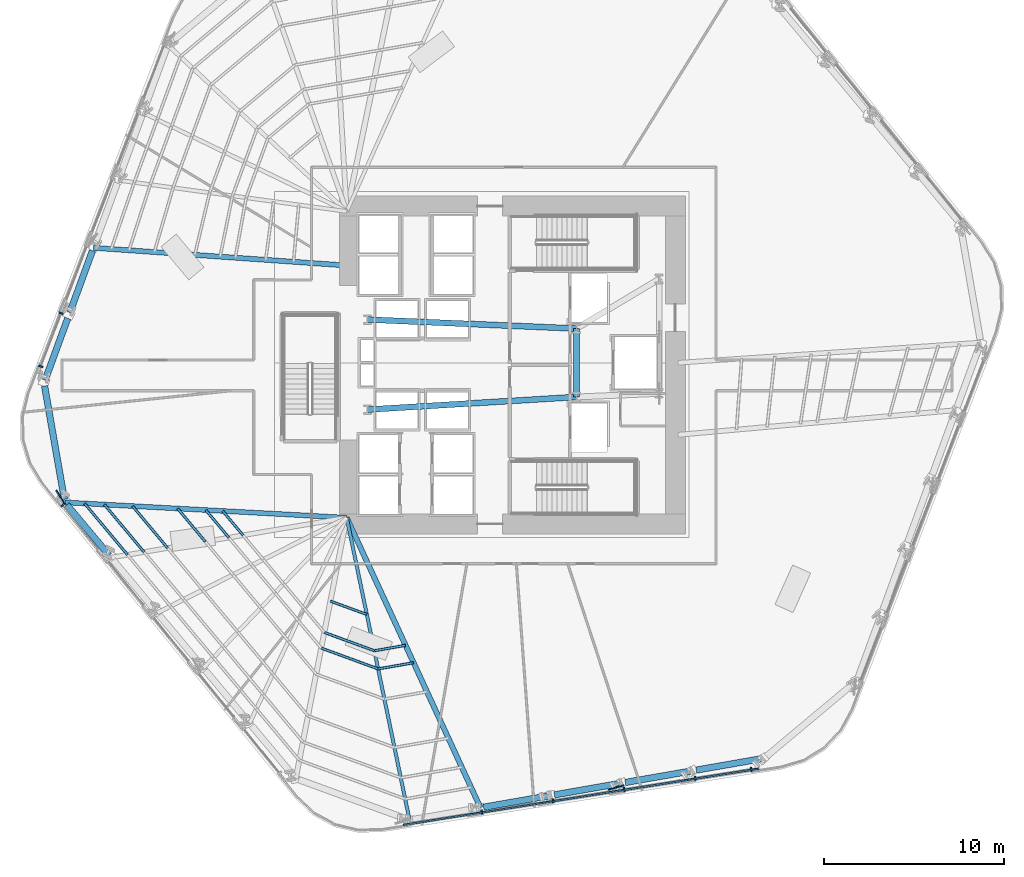
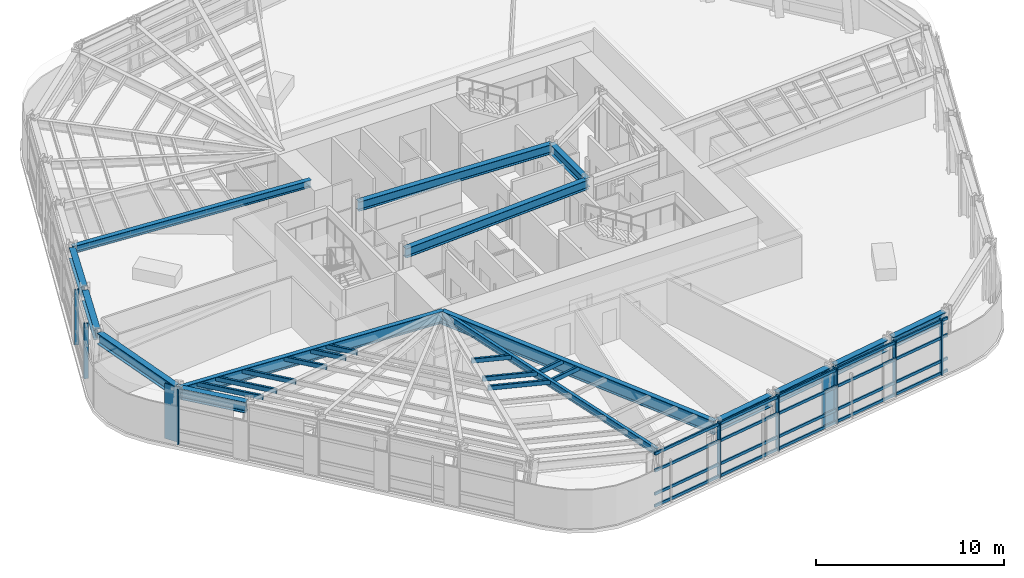
# One storey, part 3 of 16: 25 members, 15 beams, 3 elements without a shape of their own.
"""IFC4 building model written with IfcOpenShell, lengths in metres."""

import ifcopenshell
import ifcopenshell.guid

model = None  # the IFC model being written
_history = None  # IfcOwnerHistory: only IFC2X3 demands one
_inside = {}  # id of a spatial element -> (the spatial element, [elements in it])
_under = {}  # id of a project, library or spatial element -> (it, [spatial elements below it])
_declared = {}  # id of a project -> (the project, [libraries it declares])
_typed = {}  # id of a type object -> (the type object, [elements of that type])
_made_of = {}  # id of a material, layer set ... -> (it, [elements and type objects made of it])


def new_model(schema):
    """Start an empty IFC model of exactly this schema.

    Asked for "IFC4X3", IfcOpenShell would pick the latest addendum, in which some entities
    have other attributes; the version numbers below select the first issue.
    IFC2X3 requires an IfcOwnerHistory on every rooted entity: one is made here for all.
    """
    global model, _history
    if schema == "IFC4X3":
        model = ifcopenshell.file(schema_version=(4, 3, 0, 0))
    else:
        model = ifcopenshell.file(schema=schema)
    _inside.clear()
    _under.clear()
    _declared.clear()
    _typed.clear()
    _made_of.clear()
    _history = None
    if model.schema == "IFC2X3":
        org = make("IfcOrganization", Name="unknown")
        user = make(
            "IfcPersonAndOrganization",
            ThePerson=make("IfcPerson", FamilyName="unknown"),
            TheOrganization=org,
        )
        app = make(
            "IfcApplication",
            ApplicationDeveloper=org,
            Version="unknown",
            ApplicationFullName="unknown",
            ApplicationIdentifier="unknown",
        )
        _history = make(
            "IfcOwnerHistory",
            OwningUser=user,
            OwningApplication=app,
            ChangeAction="ADDED",
            CreationDate=0,
        )
    return model


def make(cls, **values):
    """One entity of the class cls with the attributes given. An attribute that is None is left unset."""
    return model.create_entity(
        cls, **{name: value for name, value in values.items() if value is not None}
    )


def rooted(cls, **values):
    """An entity with a GlobalId (a new one), such as an element, a storey or a relation."""
    return make(cls, GlobalId=ifcopenshell.guid.new(), OwnerHistory=_history, **values)


def si_unit(unit_type, name, prefix=None):
    """IfcSIUnit, for example si_unit("LENGTHUNIT", "METRE", prefix="MILLI")."""
    return make("IfcSIUnit", UnitType=unit_type, Prefix=prefix, Name=name)


def assignment(units):
    """IfcUnitAssignment: the units of a project."""
    return None if units is None else make("IfcUnitAssignment", Units=units)


def point(xyz):
    """IfcCartesianPoint."""
    return None if xyz is None else make("IfcCartesianPoint", Coordinates=xyz)


def direction(xyz):
    """IfcDirection."""
    return None if xyz is None else make("IfcDirection", DirectionRatios=xyz)


def frame(location, z_axis=None, x_axis=None):
    """IfcAxis2Placement3D, a coordinate frame: its origin and axes. An axis left out is left unset."""
    return make(
        "IfcAxis2Placement3D",
        Location=point(location),
        Axis=direction(z_axis),
        RefDirection=direction(x_axis),
    )


def frame_2d(location, x_axis=None):
    """IfcAxis2Placement2D, a coordinate frame in the plane: its origin and x axis."""
    return make(
        "IfcAxis2Placement2D", Location=point(location), RefDirection=direction(x_axis)
    )


def origin():
    """The frame at (0, 0, 0) with its axes left unset."""
    return frame((0.0, 0.0, 0.0))


def origin_2d():
    """The frame at (0, 0) in the plane with its x axis left unset."""
    return frame_2d((0.0, 0.0))


def place(relative_to, where):
    """IfcLocalPlacement: puts the frame where relative to a parent placement (None: the world)."""
    return make(
        "IfcLocalPlacement", PlacementRelTo=relative_to, RelativePlacement=where
    )


def context(
    kind, dimensions, precision=None, world=None, true_north=None, identifier=None
):
    """IfcGeometricRepresentationContext, for example the 3D "Model" context."""
    return make(
        "IfcGeometricRepresentationContext",
        ContextIdentifier=identifier,
        ContextType=kind,
        CoordinateSpaceDimension=dimensions,
        Precision=precision,
        WorldCoordinateSystem=world,
        TrueNorth=true_north,
    )


def subcontext(parent, identifier, kind, view, scale=None):
    """IfcGeometricRepresentationSubContext, for example "Body" below "Model"."""
    return make(
        "IfcGeometricRepresentationSubContext",
        ContextIdentifier=identifier,
        ContextType=kind,
        ParentContext=parent,
        TargetScale=scale,
        TargetView=view,
    )


def project(units=None, contexts=None):
    """IfcProject with its units and contexts."""
    return rooted(
        "IfcProject",
        Name="project",
        RepresentationContexts=contexts,
        UnitsInContext=assignment(units),
    )


def spatial(cls, under=None, at=None, **own):
    """A site, building, storey or space (cls), placed at a placement, below another one or the project."""
    s = rooted(cls, ObjectPlacement=at, **own)
    if under is not None:
        _under.setdefault(under.id(), (under, []))[1].append(s)
    return s


def profile(cls, at=None, kind="AREA", **sizes):
    """A parametric profile (cls). Its sizes go by their IFC names, for example OverallWidth=200.0."""
    return make(cls, ProfileType=kind, Position=at, **sizes)


def rectangle(**sizes):
    """IfcRectangleProfileDef."""
    return profile("IfcRectangleProfileDef", **sizes)


def hollow_rectangle(**sizes):
    """IfcRectangleHollowProfileDef."""
    return profile("IfcRectangleHollowProfileDef", **sizes)


def i_section(**sizes):
    """IfcIShapeProfileDef."""
    return profile("IfcIShapeProfileDef", **sizes)


def extrude(swept, where, along, depth):
    """IfcExtrudedAreaSolid: the profile swept, set in the frame where, extruded along a direction by depth."""
    return make(
        "IfcExtrudedAreaSolid",
        SweptArea=swept,
        Position=where,
        ExtrudedDirection=direction(along),
        Depth=depth,
    )


def shape(context_of_items, identifier, shape_type, items):
    """IfcShapeRepresentation: the items that make up one representation, for example the "Body"."""
    return make(
        "IfcShapeRepresentation",
        ContextOfItems=context_of_items,
        RepresentationIdentifier=identifier,
        RepresentationType=shape_type,
        Items=items,
    )


def material(Name=None, Category=None):
    """IfcMaterial."""
    return make("IfcMaterial", Name=Name, Category=Category)


def layer(
    of_material, thickness, ventilated=None, Name=None, Category=None, Priority=None
):
    """IfcMaterialLayer: one layer of a wall or slab, of a material (None: an air gap)."""
    return make(
        "IfcMaterialLayer",
        Material=of_material,
        LayerThickness=thickness,
        IsVentilated=ventilated,
        Name=Name,
        Category=Category,
        Priority=Priority,
    )


def layer_set(layers, Name=None):
    """IfcMaterialLayerSet."""
    return make("IfcMaterialLayerSet", MaterialLayers=layers, LayerSetName=Name)


def material_profile(
    of_material, cross_section, Name=None, Category=None, Priority=None
):
    """IfcMaterialProfile: a cross section and its material."""
    return make(
        "IfcMaterialProfile",
        Name=Name,
        Material=of_material,
        Profile=cross_section,
        Priority=Priority,
        Category=Category,
    )


def profile_set(profiles, Name=None, composite=None):
    """IfcMaterialProfileSet."""
    return make(
        "IfcMaterialProfileSet",
        Name=Name,
        MaterialProfiles=profiles,
        CompositeProfile=composite,
    )


def made_of(thing, what):
    """Note that an element or type object is made of a material, layer set ...; save() writes the relation."""
    if what is not None:
        _made_of.setdefault(what.id(), (what, []))[1].append(thing)
    return thing


def type_object(cls, material=None, **own):
    """A type object (cls), such as IfcWallType, which elements share."""
    return made_of(rooted(cls, **own), material)


def element(
    cls,
    number,
    at=None,
    inside=None,
    cuts=None,
    type_object=None,
    material=None,
    context=None,
    identifier="Body",
    shape_type=None,
    held_by="IfcProductDefinitionShape",
    body=None,
    shapes=None,
    **own,
):
    """One element of the class cls, such as IfcWall. Its Tag is "e" and its number.

    at: its placement. inside: the storey or other place that contains it. cuts: it is an
    opening in that element (IfcRelVoidsElement). A single representation is given by context,
    identifier, shape_type and body (its items); several are given by shapes. held_by: the class
    of the entity that holds the representations. save() writes the other relations.
    """
    e = rooted(cls, Tag="e%d" % number, ObjectPlacement=at, **own)
    if body is not None:
        shapes = [shape(context, identifier, shape_type, body)]
    if shapes is not None:
        e.Representation = make(held_by, Representations=shapes)
    if inside is not None:
        _inside.setdefault(inside.id(), (inside, []))[1].append(e)
    if cuts is not None:
        rooted(
            "IfcRelVoidsElement", RelatingBuildingElement=cuts, RelatedOpeningElement=e
        )
    if type_object is not None:
        _typed.setdefault(type_object.id(), (type_object, []))[1].append(e)
    return made_of(e, material)


def aggregate(whole, parts):
    """IfcRelAggregates: a whole, such as a stair, and the parts it consists of."""
    return rooted("IfcRelAggregates", RelatingObject=whole, RelatedObjects=parts)


def save(model, path):
    """Write the relations noted so far, then the file.

    IfcRelAggregates (storeys below a building ...), IfcRelContainedInSpatialStructure (elements
    in a storey), IfcRelDefinesByType, IfcRelAssociatesMaterial and IfcRelDeclares: one each for
    every whole, place, type object, material and project.
    """
    for whole, parts in _under.values():
        aggregate(whole, parts)
    for where, things in _inside.values():
        rooted(
            "IfcRelContainedInSpatialStructure",
            RelatedElements=things,
            RelatingStructure=where,
        )
    for kind, things in _typed.values():
        rooted("IfcRelDefinesByType", RelatedObjects=things, RelatingType=kind)
    for what, things in _made_of.values():
        rooted("IfcRelAssociatesMaterial", RelatedObjects=things, RelatingMaterial=what)
    for by, libraries in _declared.values():
        rooted("IfcRelDeclares", RelatingContext=by, RelatedDefinitions=libraries)
    model.write(path)


model = new_model("IFC4")

# Units and contexts
model_context = context("Model", 3, precision=1e-05, world=origin(), true_north=direction((0.0, 1.0)))
body_context = subcontext(model_context, "Body", "Model", "MODEL_VIEW")
ifc_project = project(units=[si_unit("LENGTHUNIT", "METRE"), si_unit("AREAUNIT", "SQUARE_METRE"), si_unit("VOLUMEUNIT", "CUBIC_METRE"), si_unit("PLANEANGLEUNIT", "RADIAN"), si_unit("MASSUNIT", "GRAM", prefix="KILO")], contexts=[model_context])

# Site, building, storey
site_placement = place(None, origin())
site = spatial("IfcSite", under=ifc_project, at=site_placement, CompositionType="ELEMENT")
building_placement = place(site_placement, origin())
building = spatial("IfcBuilding", under=site, at=building_placement, Name="Valkerne Bourse Tower", CompositionType="ELEMENT")
storey_placement = place(building_placement, frame((0.0, 0.0, 62.0)))
storey = spatial("IfcBuildingStorey", under=building, at=storey_placement, Name="L15", CompositionType="ELEMENT", Elevation=62.0)

# Beams
ifc_material_1 = material(Name="Steel ASTM A992", Category="steel")
ifc_material_profile_1 = material_profile(ifc_material_1, i_section(OverallWidth=0.1904296875, OverallDepth=0.457275390625, WebThickness=0.009033203125, FlangeThickness=0.014404296875, FilletRadius=0.01513671875, at=origin_2d()), Name="W18X50")
ifc_profile_set_1 = profile_set([ifc_material_profile_1], Name="Steel ASTM A992")
beam_type_1 = type_object("IfcBeamType", Name="BM-W18X50", PredefinedType="JOIST", material=ifc_profile_set_1)
beam_1_placement = place(storey_placement, frame((41.090576171875, 1.608154296875, 3.351318359375), z_axis=(-0.203518229825, 0.979071156826, 0.0), x_axis=(-0.979071156826, -0.203518229825, 0.0)))
element("IfcBeam", 1, at=beam_1_placement, inside=storey, type_object=beam_type_1, Name="L15 Radial Composite Floor Beam 24", PredefinedType="JOIST", context=body_context, shape_type="SweptSolid", body=[
    extrude(i_section(OverallWidth=0.1904296875, OverallDepth=0.457275390625, WebThickness=0.009033203125, FlangeThickness=0.014404296875, FilletRadius=0.01513671875, at=origin_2d()), origin(), (0.0, 0.0, 1.0), 17.150634765625),
])
ifc_material_profile_2 = material_profile(ifc_material_1, i_section(OverallWidth=0.279296875, OverallDepth=0.46240234375, WebThickness=0.0107421875, FlangeThickness=0.017333984375, FilletRadius=0.017822265625, at=origin_2d()), Name="W18X76")
ifc_profile_set_2 = profile_set([ifc_material_profile_2], Name="Steel ASTM A992")
beam_type_2 = type_object("IfcBeamType", Name="BM-W18X76", PredefinedType="BEAM", material=ifc_profile_set_2)
beam_2_placement = place(storey_placement, frame((23.544921875, 33.382568359375, 3.348876953125), z_axis=(0.997564878038, -0.069744634951, 0.0), x_axis=(0.069744634951, 0.997564878038, 0.0)))
element("IfcBeam", 2, at=beam_2_placement, inside=storey, type_object=beam_type_2, Name="L15 Radial Composite Floor Beam 15", PredefinedType="BEAM", context=body_context, shape_type="SweptSolid", body=[
    extrude(i_section(OverallWidth=0.279296875, OverallDepth=0.46240234375, WebThickness=0.0107421875, FlangeThickness=0.017333984375, FilletRadius=0.017822265625, at=origin_2d()), origin(), (0.0, 0.0, 1.0), 14.089599609375),
])
ifc_material_profile_3 = material_profile(ifc_material_1, i_section(OverallWidth=0.3251953125, OverallDepth=0.612060546875, WebThickness=0.0126953125, FlangeThickness=0.01904296875, FilletRadius=0.020263671875, at=origin_2d()), Name="W24X104")
ifc_profile_set_3 = profile_set([ifc_material_profile_3], Name="Steel ASTM A992")
beam_type_3 = type_object("IfcBeamType", Name="BM-W24X104", PredefinedType="BEAM", material=ifc_profile_set_3)
beam_3_placement = place(storey_placement, frame((50.35009765625, 25.10009765625, 3.27392578125), z_axis=(0.0, 1.0, 0.0), x_axis=(-1.0, 0.0, 0.0)))
element("IfcBeam", 3, at=beam_3_placement, inside=storey, type_object=beam_type_3, Name="L15 Core Frame Girder CG-CE", PredefinedType="BEAM", context=body_context, shape_type="SweptSolid", body=[
    extrude(i_section(OverallWidth=0.3251953125, OverallDepth=0.612060546875, WebThickness=0.0126953125, FlangeThickness=0.01904296875, FilletRadius=0.020263671875, at=origin_2d()), origin(), (0.0, 0.0, 1.0), 3.7998046875),
])
beam_4_placement = place(storey_placement, frame((38.75, 24.39990234375, 3.27392578125), z_axis=(0.998183228389, 0.060251494276, 0.0), x_axis=(-0.060251494276, 0.998183228389, 0.0)))
element("IfcBeam", 4, at=beam_4_placement, inside=storey, type_object=beam_type_3, Name="L15 Core Frame Girder CG-SW", PredefinedType="BEAM", context=body_context, shape_type="SweptSolid", body=[
    extrude(i_section(OverallWidth=0.3251953125, OverallDepth=0.612060546875, WebThickness=0.0126953125, FlangeThickness=0.01904296875, FilletRadius=0.020263671875, at=origin_2d()), origin(), (0.0, 0.0, 1.0), 11.62109375),
])
beam_5_placement = place(storey_placement, frame((38.75, 29.39990234375, 3.27392578125), z_axis=(0.999072354402, -0.043063101019, 0.0), x_axis=(0.043063101019, 0.999072354402, 0.0)))
element("IfcBeam", 5, at=beam_5_placement, inside=storey, type_object=beam_type_3, Name="L15 Core Frame Girder CG-NW", PredefinedType="BEAM", context=body_context, shape_type="SweptSolid", body=[
    extrude(i_section(OverallWidth=0.3251953125, OverallDepth=0.612060546875, WebThickness=0.0126953125, FlangeThickness=0.01904296875, FilletRadius=0.020263671875, at=origin_2d()), origin(), (0.0, 0.0, 1.0), 11.61083984375),
])
ifc_material_profile_4 = material_profile(ifc_material_1, i_section(OverallWidth=0.358154296875, OverallDepth=0.7060546875, WebThickness=0.018310546875, FlangeThickness=0.0302734375, FilletRadius=0.02294921875, at=origin_2d()), Name="W27X178")
ifc_profile_set_4 = profile_set([ifc_material_profile_4], Name="Steel ASTM A992")
beam_type_4 = type_object("IfcBeamType", Name="BM-W27X178", PredefinedType="SPANDREL", material=ifc_profile_set_4)
beam_6_placement = place(storey_placement, frame((23.486572265625, 33.222900390625, 3.22705078125), z_axis=(-0.343699316091, -0.939079751735, 0.0), x_axis=(0.939079751735, -0.343699316091, 0.0)))
element("IfcBeam", 6, at=beam_6_placement, inside=storey, type_object=beam_type_4, Name="L15 Hexagonal Spandrel Ring Beam 15", PredefinedType="SPANDREL", context=body_context, shape_type="SweptSolid", body=[
    extrude(i_section(OverallWidth=0.358154296875, OverallDepth=0.7060546875, WebThickness=0.018310546875, FlangeThickness=0.0302734375, FilletRadius=0.02294921875, at=origin_2d()), origin(), (0.0, 0.0, 1.0), 3.656005859375),
])
beam_7_placement = place(storey_placement, frame((22.11328125, 29.470458984375, 3.22705078125), z_axis=(-0.343677764455, -0.939087639264, 0.0), x_axis=(0.939087639264, -0.343677764455, 0.0)))
element("IfcBeam", 7, at=beam_7_placement, inside=storey, type_object=beam_type_4, Name="L15 Hexagonal Spandrel Ring Beam 16", PredefinedType="SPANDREL", context=body_context, shape_type="SweptSolid", body=[
    extrude(i_section(OverallWidth=0.358154296875, OverallDepth=0.7060546875, WebThickness=0.018310546875, FlangeThickness=0.0302734375, FilletRadius=0.02294921875, at=origin_2d()), origin(), (0.0, 0.0, 1.0), 3.65625),
])
beam_8_placement = place(storey_placement, frame((20.827392578125, 25.709716796875, 3.22705078125), z_axis=(0.171960408724, -0.985103861444, 0.0), x_axis=(0.985103861444, 0.171960408724, 0.0)))
element("IfcBeam", 8, at=beam_8_placement, inside=storey, type_object=beam_type_4, Name="L15 Hexagonal Spandrel Ring Beam 17", PredefinedType="SPANDREL", context=body_context, shape_type="SweptSolid", body=[
    extrude(i_section(OverallWidth=0.358154296875, OverallDepth=0.7060546875, WebThickness=0.018310546875, FlangeThickness=0.0302734375, FilletRadius=0.02294921875, at=origin_2d()), origin(), (0.0, 0.0, 1.0), 6.388916015625),
])
beam_9_placement = place(storey_placement, frame((22.064208984375, 19.1181640625, 3.22705078125), z_axis=(0.641438035248, -0.767174847696, 0.0), x_axis=(0.767174847696, 0.641438035248, 0.0)))
element("IfcBeam", 9, at=beam_9_placement, inside=storey, type_object=beam_type_4, Name="L15 Hexagonal Spandrel Ring Beam 18", PredefinedType="SPANDREL", context=body_context, shape_type="SweptSolid", body=[
    extrude(i_section(OverallWidth=0.358154296875, OverallDepth=0.7060546875, WebThickness=0.018310546875, FlangeThickness=0.0302734375, FilletRadius=0.02294921875, at=origin_2d()), origin(), (0.0, 0.0, 1.0), 3.65625),
])
for number, where, z_axis, x_axis, name in (
    (10, (45.194580078125, 2.32421875, 3.22705078125), (0.985105210753, 0.171952678802, 0.0), (-0.171952678802, 0.985105210753, 0.0), "L15 Hexagonal Spandrel Ring Beam 25"),
    (11, (49.131103515625, 3.01123046875, 3.22705078125), (0.985105210753, 0.171952678802, 0.0), (-0.171952678802, 0.985105210753, 0.0), "L15 Hexagonal Spandrel Ring Beam 26"),
    (12, (53.067626953125, 3.698486328125, 3.22705078125), (0.985116520331, 0.171887874412, 0.0), (-0.171887874412, 0.985116520331, 0.0), "L15 Hexagonal Spandrel Ring Beam 27"),
    (13, (57.004150390625, 4.385498046875, 3.22705078125), (0.985116520331, 0.171887874412, 0.0), (-0.171887874412, 0.985116520331, 0.0), "L15 Hexagonal Spandrel Ring Beam 28"),
):
    element("IfcBeam", number, at=place(storey_placement, frame(where, z_axis=z_axis, x_axis=x_axis)), inside=storey, type_object=beam_type_4, Name=name, PredefinedType="SPANDREL", context=body_context, shape_type="SweptSolid", body=[
        extrude(i_section(OverallWidth=0.358154296875, OverallDepth=0.7060546875, WebThickness=0.018310546875, FlangeThickness=0.0302734375, FilletRadius=0.02294921875, at=origin_2d()), origin(), (0.0, 0.0, 1.0), 3.656005859375),
    ])
ifc_material_profile_5 = material_profile(ifc_material_1, i_section(OverallWidth=0.26806640625, OverallDepth=0.76953125, WebThickness=0.015625, FlangeThickness=0.025390625, FilletRadius=0.025390625, at=origin_2d()), Name="W30X132")
ifc_profile_set_5 = profile_set([ifc_material_profile_5], Name="Steel ASTM A992")
beam_type_5 = type_object("IfcBeamType", Name="BM-W30X132", PredefinedType="BEAM", material=ifc_profile_set_5)
beam_10_placement = place(storey_placement, frame((21.955078125, 19.24853515625, 3.1953125), z_axis=(0.998532086904, -0.054163377143, 0.0), x_axis=(0.054163377143, 0.998532086904, 0.0)))
element("IfcBeam", 14, at=beam_10_placement, inside=storey, type_object=beam_type_5, Name="L15 Radial Composite Floor Beam 18", PredefinedType="BEAM", context=body_context, shape_type="SweptSolid", body=[
    extrude(i_section(OverallWidth=0.26806640625, OverallDepth=0.76953125, WebThickness=0.015625, FlangeThickness=0.025390625, FilletRadius=0.025390625, at=origin_2d()), origin(), (0.0, 0.0, 1.0), 15.66796875),
])
ifc_material_profile_6 = material_profile(ifc_material_1, i_section(OverallWidth=0.2919921875, OverallDepth=0.8583984375, WebThickness=0.01708984375, FlangeThickness=0.031005859375, FilletRadius=0.025390625, at=origin_2d()), Name="W33X169")
ifc_profile_set_6 = profile_set([ifc_material_profile_6], Name="Steel ASTM A992")
beam_type_6 = type_object("IfcBeamType", Name="BM-W33X169", PredefinedType="BEAM", material=ifc_profile_set_6)
beam_11_placement = place(storey_placement, frame((45.027099609375, 2.295166015625, 3.15087890625), z_axis=(-0.418781423898, 0.908087065758, 0.0), x_axis=(-0.908087065758, -0.418781423898, 0.0)))
element("IfcBeam", 15, at=beam_11_placement, inside=storey, type_object=beam_type_6, Name="L15 Radial Composite Floor Beam 25", PredefinedType="BEAM", context=body_context, shape_type="SweptSolid", body=[
    extrude(i_section(OverallWidth=0.2919921875, OverallDepth=0.8583984375, WebThickness=0.01708984375, FlangeThickness=0.031005859375, FilletRadius=0.025390625, at=origin_2d()), origin(), (0.0, 0.0, 1.0), 17.73486328125),
])

# Curtain wall, members
ifc_material_2 = material(Name="Aluminium AA 6063-T6", Category="aluminium")
ifc_layer = layer(ifc_material_2, 0.22509765625)
ifc_layer_set = layer_set([ifc_layer], Name="Aluminium AA 6063-T6")
curtain_wall_type = type_object("IfcCurtainWallType", Name="CW-01", PredefinedType="NOTDEFINED", material=ifc_layer_set)
curtain_wall_1_placement = place(storey_placement, origin())
curtain_wall_1 = element("IfcCurtainWall", 16, at=curtain_wall_1_placement, inside=storey, type_object=curtain_wall_type, Name="L15 Hexagonal Stick Curtain Wall Face 3", PredefinedType="NOTDEFINED")
ifc_material_profile_7 = material_profile(ifc_material_2, rectangle(XDim=0.090087890625, YDim=0.239990234375, at=origin_2d()), Name="CWM-90X240")
ifc_profile_set_7 = profile_set([ifc_material_profile_7], Name="Aluminium AA 6063-T6")
member_type_1 = type_object("IfcMemberType", Name="CW-MUL-240X90", PredefinedType="MULLION", material=ifc_profile_set_7)
member_1_placement = place(storey_placement, frame((21.748046875, 29.74609375, 0.0), z_axis=(0.0, 0.0, 1.0), x_axis=(-0.358358533862, -0.933584040785, 0.0)))
member_1 = element("IfcMember", 17, at=member_1_placement, type_object=member_type_1, Name="CW-L15-F3 Jamb Mullion 04A", PredefinedType="MULLION", context=body_context, shape_type="SweptSolid", body=[
    extrude(rectangle(XDim=0.090087890625, YDim=0.239990234375, at=origin_2d()), origin(), (0.0, 0.0, 1.0), 3.580078125),
])
member_2_placement = place(storey_placement, frame((20.616943359375, 26.7998046875, 0.0), z_axis=(0.0, 0.0, 1.0), x_axis=(-0.358358533862, -0.933584040785, 0.0)))
member_2 = element("IfcMember", 18, at=member_2_placement, type_object=member_type_1, Name="CW-L15-F3 Jamb Mullion 04B", PredefinedType="MULLION", context=body_context, shape_type="SweptSolid", body=[
    extrude(rectangle(XDim=0.090087890625, YDim=0.239990234375, at=origin_2d()), origin(), (0.0, 0.0, 1.0), 3.580078125),
])
aggregate(curtain_wall_1, [member_1, member_2])

# Curtain wall, member
curtain_wall_2_placement = place(storey_placement, origin())
curtain_wall_2 = element("IfcCurtainWall", 19, at=curtain_wall_2_placement, inside=storey, type_object=curtain_wall_type, Name="L15 Hexagonal Stick Curtain Wall Face 4", PredefinedType="NOTDEFINED")
member_3_placement = place(storey_placement, frame((21.836669921875, 19.099365234375, 0.0), z_axis=(0.0, 0.0, 1.0), x_axis=(0.629319886736, -0.777146369842, 0.0)))
member_3 = element("IfcMember", 20, at=member_3_placement, type_object=member_type_1, Name="CW-L15-F4 Jamb Mullion 00A", PredefinedType="MULLION", context=body_context, shape_type="SweptSolid", body=[
    extrude(rectangle(XDim=0.090087890625, YDim=0.239990234375, at=origin_2d()), origin(), (0.0, 0.0, 1.0), 3.580078125),
])
aggregate(curtain_wall_2, [member_3])

# Curtain wall, members
curtain_wall_3_placement = place(storey_placement, origin())
curtain_wall_3 = element("IfcCurtainWall", 21, at=curtain_wall_3_placement, inside=storey, type_object=curtain_wall_type, Name="L15 Hexagonal Stick Curtain Wall Face 5", PredefinedType="NOTDEFINED")
member_4_placement = place(storey_placement, frame((45.107421875, 2.055908203125, 0.0), z_axis=(0.0, 0.0, 1.0), x_axis=(0.987688793331, 0.156431606549, 0.0)))
member_4 = element("IfcMember", 22, at=member_4_placement, type_object=member_type_1, Name="CW-L15-F5 Jamb Mullion 01A", PredefinedType="MULLION", context=body_context, shape_type="SweptSolid", body=[
    extrude(rectangle(XDim=0.090087890625, YDim=0.239990234375, at=origin_2d()), origin(), (0.0, 0.0, 1.0), 3.580078125),
])
member_5_placement = place(storey_placement, frame((49.05419921875, 2.680908203125, 0.0), z_axis=(0.0, 0.0, 1.0), x_axis=(0.987688793331, 0.156431606549, 0.0)))
member_5 = element("IfcMember", 23, at=member_5_placement, type_object=member_type_1, Name="CW-L15-F5 Jamb Mullion 02A", PredefinedType="MULLION", context=body_context, shape_type="SweptSolid", body=[
    extrude(rectangle(XDim=0.090087890625, YDim=0.239990234375, at=origin_2d()), origin(), (0.0, 0.0, 1.0), 3.580078125),
])
member_6_placement = place(storey_placement, frame((53.0009765625, 3.30615234375, 0.0), z_axis=(0.0, 0.0, 1.0), x_axis=(0.987688793331, 0.156431606549, 0.0)))
member_6 = element("IfcMember", 24, at=member_6_placement, type_object=member_type_1, Name="CW-L15-F5 Jamb Mullion 03A", PredefinedType="MULLION", context=body_context, shape_type="SweptSolid", body=[
    extrude(rectangle(XDim=0.090087890625, YDim=0.239990234375, at=origin_2d()), origin(), (0.0, 0.0, 1.0), 3.580078125),
])
member_7_placement = place(storey_placement, frame((56.94775390625, 3.93115234375, 0.0), z_axis=(0.0, 0.0, 1.0), x_axis=(0.987684926531, 0.156456019071, 0.0)))
member_7 = element("IfcMember", 25, at=member_7_placement, type_object=member_type_1, Name="CW-L15-F5 Jamb Mullion 04A", PredefinedType="MULLION", context=body_context, shape_type="SweptSolid", body=[
    extrude(rectangle(XDim=0.090087890625, YDim=0.239990234375, at=origin_2d()), origin(), (0.0, 0.0, 1.0), 3.580078125),
])
member_8_placement = place(storey_placement, frame((60.06494140625, 4.425048828125, 0.0), z_axis=(0.0, 0.0, 1.0), x_axis=(0.987684926531, 0.156456019071, 0.0)))
member_8 = element("IfcMember", 26, at=member_8_placement, type_object=member_type_1, Name="CW-L15-F5 Jamb Mullion 04B", PredefinedType="MULLION", context=body_context, shape_type="SweptSolid", body=[
    extrude(rectangle(XDim=0.090087890625, YDim=0.239990234375, at=origin_2d()), origin(), (0.0, 0.0, 1.0), 3.580078125),
])
ifc_material_profile_8 = material_profile(ifc_material_2, rectangle(XDim=0.090087890625, YDim=0.179931640625, at=origin_2d()), Name="CWT-90X180")
ifc_profile_set_8 = profile_set([ifc_material_profile_8], Name="Aluminium AA 6063-T6")
member_type_2 = type_object("IfcMemberType", Name="CW-TRN-180X90", PredefinedType="USERDEFINED", material=ifc_profile_set_8)
member_9_placement = place(storey_placement, frame((40.748779296875, 1.34521484375, 0.1201171875), z_axis=(0.987687156239, 0.156441942588, 0.0), x_axis=(-0.156441942588, 0.987687156239, 0.0)))
member_9 = element("IfcMember", 27, at=member_9_placement, type_object=member_type_2, Name="CW-L15-F5 Continuous Face Transom 1", ObjectType="TRANSOM", PredefinedType="USERDEFINED", context=body_context, shape_type="SweptSolid", body=[
    extrude(rectangle(XDim=0.090087890625, YDim=0.179931640625, at=origin_2d()), origin(), (0.0, 0.0, 1.0), 19.980224609375),
])
member_10_placement = place(storey_placement, frame((40.748779296875, 1.34521484375, 0.89990234375), z_axis=(0.987687156239, 0.156441942588, 0.0), x_axis=(-0.156441942588, 0.987687156239, 0.0)))
member_10 = element("IfcMember", 28, at=member_10_placement, type_object=member_type_2, Name="CW-L15-F5 Continuous Face Transom 2", ObjectType="TRANSOM", PredefinedType="USERDEFINED", context=body_context, shape_type="SweptSolid", body=[
    extrude(rectangle(XDim=0.090087890625, YDim=0.179931640625, at=origin_2d()), origin(), (0.0, 0.0, 1.0), 19.980224609375),
])
member_11_placement = place(storey_placement, frame((40.748779296875, 1.34521484375, 2.39990234375), z_axis=(0.987687156239, 0.156441942588, 0.0), x_axis=(-0.156441942588, 0.987687156239, 0.0)))
member_11 = element("IfcMember", 29, at=member_11_placement, type_object=member_type_2, Name="CW-L15-F5 Continuous Face Transom 3", ObjectType="TRANSOM", PredefinedType="USERDEFINED", context=body_context, shape_type="SweptSolid", body=[
    extrude(rectangle(XDim=0.090087890625, YDim=0.179931640625, at=origin_2d()), origin(), (0.0, 0.0, 1.0), 19.980224609375),
])
member_12_placement = place(storey_placement, frame((40.748779296875, 1.34521484375, 3.5), z_axis=(0.987687156239, 0.156441942588, 0.0), x_axis=(-0.156441942588, 0.987687156239, 0.0)))
member_12 = element("IfcMember", 30, at=member_12_placement, type_object=member_type_2, Name="CW-L15-F5 Continuous Face Transom 4", ObjectType="TRANSOM", PredefinedType="USERDEFINED", context=body_context, shape_type="SweptSolid", body=[
    extrude(rectangle(XDim=0.090087890625, YDim=0.179931640625, at=origin_2d()), origin(), (0.0, 0.0, 1.0), 19.980224609375),
])
aggregate(curtain_wall_3, [member_9, member_10, member_11, member_12, member_4, member_5, member_6, member_7, member_8])

# Members
ifc_material_3 = material(Name="Bronze Anodised Aluminium AA 6063-T6", Category="aluminium")
ifc_material_profile_9 = material_profile(ifc_material_3, rectangle(XDim=0.070068359375, YDim=0.89990234375, at=origin_2d()), Name="FIN-70X900")
ifc_profile_set_9 = profile_set([ifc_material_profile_9], Name="Bronze Anodised Aluminium AA 6063-T6")
member_type_3 = type_object("IfcMemberType", Name="FIN-SOLAR-900", PredefinedType="USERDEFINED", material=ifc_profile_set_9)
for number, where, z_axis, x_axis, name in (
    (31, (21.71240234375, 19.5390625, 0.00390625), (0.0, 0.0, 1.0), (-0.845077756584, -0.534643418856, 0.0), "L15 Bronze Anodised Solar Fin F4-00"),
    (32, (52.557861328125, 3.418212890625, 0.00390625), (0.0, 0.0, 1.0), (0.280914282891, -0.959732861617, 0.0), "L15 Bronze Anodised Solar Fin F5-03"),
):
    element("IfcMember", number, at=place(storey_placement, frame(where, z_axis=z_axis, x_axis=x_axis)), inside=storey, type_object=member_type_3, Name=name, ObjectType="SOLAR_FIN", PredefinedType="USERDEFINED", context=body_context, shape_type="SweptSolid", body=[
        extrude(rectangle(XDim=0.070068359375, YDim=0.89990234375, at=origin_2d()), origin(), (0.0, 0.0, 1.0), 3.572021484375),
    ])
ifc_material_4 = material(Name="Steel ASTM A500 Grade C", Category="steel")
ifc_material_profile_10 = material_profile(ifc_material_4, hollow_rectangle(XDim=0.14990234375, YDim=0.300048828125, WallThickness=0.012451171875, OuterFilletRadius=0.02490234375, at=origin_2d()), Name="HSS300X150X12.5")
ifc_profile_set_10 = profile_set([ifc_material_profile_10], Name="Steel ASTM A500 Grade C")
member_type_4 = type_object("IfcMemberType", Name="MBR-HSS300X150X12.5", PredefinedType="PURLIN", material=ifc_profile_set_10)
member_13_placement = place(storey_placement, frame((36.69482421875, 13.7666015625, 3.419921875), z_axis=(0.939099651168, -0.343644940564, 0.0), x_axis=(0.343644940564, 0.939099651168, 0.0)))
element("IfcMember", 33, at=member_13_placement, inside=storey, type_object=member_type_4, Name="L15 Secondary Composite Floor Purlin I-23", PredefinedType="PURLIN", context=body_context, shape_type="SweptSolid", body=[
    extrude(hollow_rectangle(XDim=0.14990234375, YDim=0.300048828125, WallThickness=0.012451171875, OuterFilletRadius=0.02490234375, at=origin_2d()), origin(), (0.0, 0.0, 1.0), 2.1533203125),
])
member_14_placement = place(storey_placement, frame((30.71630859375, 18.773193359375, 3.419921875), z_axis=(0.641467537846, -0.767150179489, 0.0), x_axis=(0.767150179489, 0.641467537846, 0.0)))
element("IfcMember", 34, at=member_14_placement, inside=storey, type_object=member_type_4, Name="L15 Secondary Composite Floor Purlin K-18", PredefinedType="PURLIN", context=body_context, shape_type="SweptSolid", body=[
    extrude(hollow_rectangle(XDim=0.14990234375, YDim=0.300048828125, WallThickness=0.012451171875, OuterFilletRadius=0.02490234375, at=origin_2d()), origin(), (0.0, 0.0, 1.0), 1.758056640625),
])
member_15_placement = place(storey_placement, frame((36.35546875, 12.029052734375, 3.419921875), z_axis=(0.939115064652, -0.343602816262, 0.0), x_axis=(0.343602816262, 0.939115064652, 0.0)))
element("IfcMember", 35, at=member_15_placement, inside=storey, type_object=member_type_4, Name="L15 Secondary Composite Floor Purlin K-23", PredefinedType="PURLIN", context=body_context, shape_type="SweptSolid", body=[
    extrude(hollow_rectangle(XDim=0.14990234375, YDim=0.300048828125, WallThickness=0.012451171875, OuterFilletRadius=0.02490234375, at=origin_2d()), origin(), (0.0, 0.0, 1.0), 2.960693359375),
])
member_16_placement = place(storey_placement, frame((39.135986328125, 11.01171875, 3.419921875), z_axis=(0.985135215235, 0.171780696539, 0.0), x_axis=(-0.171780696539, 0.985135215235, 0.0)))
element("IfcMember", 36, at=member_16_placement, inside=storey, type_object=member_type_4, Name="L15 Secondary Composite Floor Purlin K-24", PredefinedType="PURLIN", context=body_context, shape_type="SweptSolid", body=[
    extrude(hollow_rectangle(XDim=0.14990234375, YDim=0.300048828125, WallThickness=0.012451171875, OuterFilletRadius=0.02490234375, at=origin_2d()), origin(), (0.0, 0.0, 1.0), 1.758056640625),
])
member_17_placement = place(storey_placement, frame((29.777587890625, 18.82421875, 3.419921875), z_axis=(0.641433609343, -0.767178548191, 0.0), x_axis=(0.767178548191, 0.641433609343, 0.0)))
element("IfcMember", 37, at=member_17_placement, inside=storey, type_object=member_type_4, Name="L15 Secondary Composite Floor Purlin M-18", PredefinedType="PURLIN", context=body_context, shape_type="SweptSolid", body=[
    extrude(hollow_rectangle(XDim=0.14990234375, YDim=0.300048828125, WallThickness=0.012451171875, OuterFilletRadius=0.02490234375, at=origin_2d()), origin(), (0.0, 0.0, 1.0), 1.997802734375),
])
member_18_placement = place(storey_placement, frame((36.185791015625, 11.160400390625, 3.419921875), z_axis=(0.939064588593, -0.343740743077, 0.0), x_axis=(0.343740743077, 0.939064588593, 0.0)))
element("IfcMember", 38, at=member_18_placement, inside=storey, type_object=member_type_4, Name="L15 Secondary Composite Floor Purlin M-23", PredefinedType="PURLIN", context=body_context, shape_type="SweptSolid", body=[
    extrude(hollow_rectangle(XDim=0.14990234375, YDim=0.300048828125, WallThickness=0.012451171875, OuterFilletRadius=0.02490234375, at=origin_2d()), origin(), (0.0, 0.0, 1.0), 3.364501953125),
])
member_19_placement = place(storey_placement, frame((39.34521484375, 10.00390625, 3.419921875), z_axis=(0.985089540193, 0.17204243024, 0.0), x_axis=(-0.17204243024, 0.985089540193, 0.0)))
element("IfcMember", 39, at=member_19_placement, inside=storey, type_object=member_type_4, Name="L15 Secondary Composite Floor Purlin M-24", PredefinedType="PURLIN", context=body_context, shape_type="SweptSolid", body=[
    extrude(hollow_rectangle(XDim=0.14990234375, YDim=0.300048828125, WallThickness=0.012451171875, OuterFilletRadius=0.02490234375, at=origin_2d()), origin(), (0.0, 0.0, 1.0), 1.998046875),
])
member_20_placement = place(storey_placement, frame((25.7099609375, 19.044921875, 3.419921875), z_axis=(0.641488117674, -0.767132970797, 0.0), x_axis=(0.767132970797, 0.641488117674, 0.0)))
element("IfcMember", 40, at=member_20_placement, inside=storey, type_object=member_type_4, Name="L15 Secondary Composite Floor Purlin O-18", PredefinedType="PURLIN", context=body_context, shape_type="SweptSolid", body=[
    extrude(hollow_rectangle(XDim=0.14990234375, YDim=0.300048828125, WallThickness=0.012451171875, OuterFilletRadius=0.02490234375, at=origin_2d()), origin(), (0.0, 0.0, 1.0), 3.037109375),
])
member_21_placement = place(storey_placement, frame((28.213134765625, 18.9091796875, 3.419921875), z_axis=(0.641435375199, -0.767177071766, 0.0), x_axis=(0.767177071766, 0.641435375199, 0.0)))
element("IfcMember", 41, at=member_21_placement, inside=storey, type_object=member_type_4, Name="L15 Secondary Composite Floor Purlin Z-18", PredefinedType="PURLIN", context=body_context, shape_type="SweptSolid", body=[
    extrude(hollow_rectangle(XDim=0.14990234375, YDim=0.300048828125, WallThickness=0.012451171875, OuterFilletRadius=0.02490234375, at=origin_2d()), origin(), (0.0, 0.0, 1.0), 2.39794921875),
])
member_22_placement = place(storey_placement, frame((24.1455078125, 19.129638671875, 3.419921875), z_axis=(0.64146930901, -0.767148698492, 0.0), x_axis=(0.767148698492, 0.64146930901, 0.0)))
element("IfcMember", 42, at=member_22_placement, inside=storey, type_object=member_type_4, Name="L15 Secondary Composite Floor Purlin T-18", PredefinedType="PURLIN", context=body_context, shape_type="SweptSolid", body=[
    extrude(hollow_rectangle(XDim=0.14990234375, YDim=0.300048828125, WallThickness=0.012451171875, OuterFilletRadius=0.02490234375, at=origin_2d()), origin(), (0.0, 0.0, 1.0), 3.436279296875),
])
member_23_placement = place(storey_placement, frame((23.05029296875, 19.189208984375, 3.419921875), z_axis=(0.641437119867, -0.767175613049, 0.0), x_axis=(0.767175613049, 0.641437119867, 0.0)))
element("IfcMember", 43, at=member_23_placement, inside=storey, type_object=member_type_4, Name="L15 Secondary Composite Floor Purlin U-18", PredefinedType="PURLIN", context=body_context, shape_type="SweptSolid", body=[
    extrude(hollow_rectangle(XDim=0.14990234375, YDim=0.300048828125, WallThickness=0.012451171875, OuterFilletRadius=0.02490234375, at=origin_2d()), origin(), (0.0, 0.0, 1.0), 3.71630859375),
])

save(model, "model.ifc")
